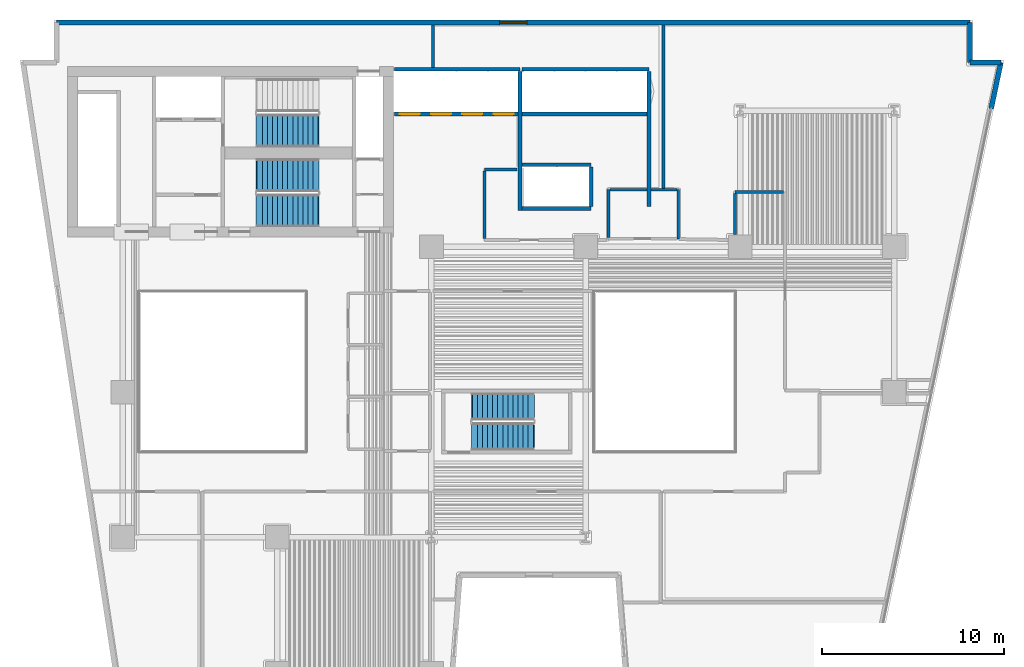
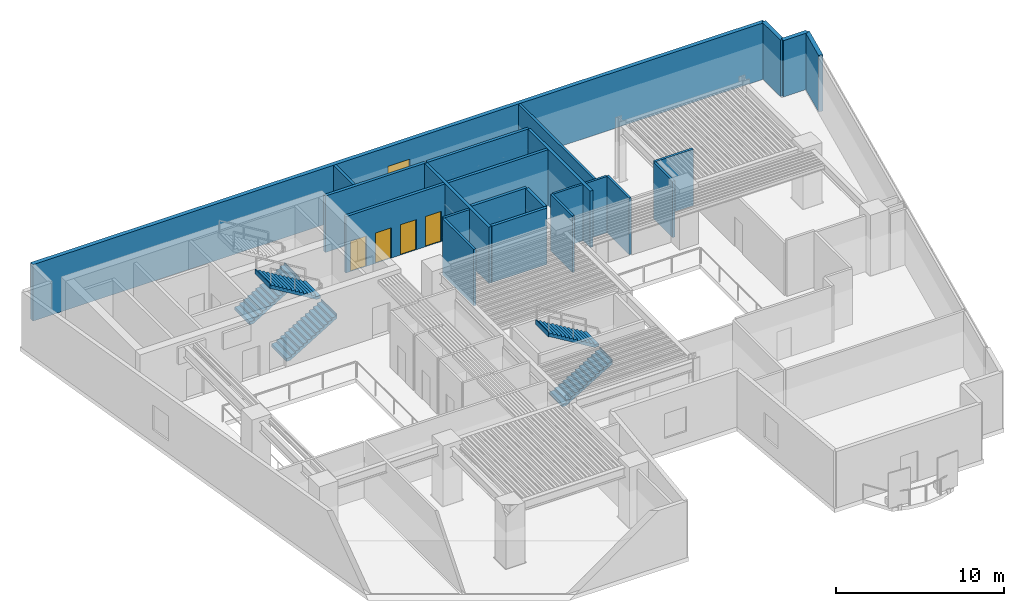
# One storey, part 6 of 11: 23 walls, 5 stair flights, 4 doors, 1 window, 5 openings, 3 elements without a shape of their own.
"""IFC4 building model written with IfcOpenShell, lengths in metres."""

import ifcopenshell
import ifcopenshell.guid

model = None  # the IFC model being written
_history = None  # IfcOwnerHistory: only IFC2X3 demands one
_inside = {}  # id of a spatial element -> (the spatial element, [elements in it])
_under = {}  # id of a project, library or spatial element -> (it, [spatial elements below it])
_declared = {}  # id of a project -> (the project, [libraries it declares])
_typed = {}  # id of a type object -> (the type object, [elements of that type])
_made_of = {}  # id of a material, layer set ... -> (it, [elements and type objects made of it])


def new_model(schema):
    """Start an empty IFC model of exactly this schema.

    Asked for "IFC4X3", IfcOpenShell would pick the latest addendum, in which some entities
    have other attributes; the version numbers below select the first issue.
    IFC2X3 requires an IfcOwnerHistory on every rooted entity: one is made here for all.
    """
    global model, _history
    if schema == "IFC4X3":
        model = ifcopenshell.file(schema_version=(4, 3, 0, 0))
    else:
        model = ifcopenshell.file(schema=schema)
    _inside.clear()
    _under.clear()
    _declared.clear()
    _typed.clear()
    _made_of.clear()
    _history = None
    if model.schema == "IFC2X3":
        org = make("IfcOrganization", Name="unknown")
        user = make(
            "IfcPersonAndOrganization",
            ThePerson=make("IfcPerson", FamilyName="unknown"),
            TheOrganization=org,
        )
        app = make(
            "IfcApplication",
            ApplicationDeveloper=org,
            Version="unknown",
            ApplicationFullName="unknown",
            ApplicationIdentifier="unknown",
        )
        _history = make(
            "IfcOwnerHistory",
            OwningUser=user,
            OwningApplication=app,
            ChangeAction="ADDED",
            CreationDate=0,
        )
    return model


def make(cls, **values):
    """One entity of the class cls with the attributes given. An attribute that is None is left unset."""
    return model.create_entity(
        cls, **{name: value for name, value in values.items() if value is not None}
    )


def rooted(cls, **values):
    """An entity with a GlobalId (a new one), such as an element, a storey or a relation."""
    return make(cls, GlobalId=ifcopenshell.guid.new(), OwnerHistory=_history, **values)


def si_unit(unit_type, name, prefix=None):
    """IfcSIUnit, for example si_unit("LENGTHUNIT", "METRE", prefix="MILLI")."""
    return make("IfcSIUnit", UnitType=unit_type, Prefix=prefix, Name=name)


def assignment(units):
    """IfcUnitAssignment: the units of a project."""
    return None if units is None else make("IfcUnitAssignment", Units=units)


def point(xyz):
    """IfcCartesianPoint."""
    return None if xyz is None else make("IfcCartesianPoint", Coordinates=xyz)


def direction(xyz):
    """IfcDirection."""
    return None if xyz is None else make("IfcDirection", DirectionRatios=xyz)


def frame(location, z_axis=None, x_axis=None):
    """IfcAxis2Placement3D, a coordinate frame: its origin and axes. An axis left out is left unset."""
    return make(
        "IfcAxis2Placement3D",
        Location=point(location),
        Axis=direction(z_axis),
        RefDirection=direction(x_axis),
    )


def frame_2d(location, x_axis=None):
    """IfcAxis2Placement2D, a coordinate frame in the plane: its origin and x axis."""
    return make(
        "IfcAxis2Placement2D", Location=point(location), RefDirection=direction(x_axis)
    )


def origin():
    """The frame at (0, 0, 0) with its axes left unset."""
    return frame((0.0, 0.0, 0.0))


def place(relative_to, where):
    """IfcLocalPlacement: puts the frame where relative to a parent placement (None: the world)."""
    return make(
        "IfcLocalPlacement", PlacementRelTo=relative_to, RelativePlacement=where
    )


def context(
    kind, dimensions, precision=None, world=None, true_north=None, identifier=None
):
    """IfcGeometricRepresentationContext, for example the 3D "Model" context."""
    return make(
        "IfcGeometricRepresentationContext",
        ContextIdentifier=identifier,
        ContextType=kind,
        CoordinateSpaceDimension=dimensions,
        Precision=precision,
        WorldCoordinateSystem=world,
        TrueNorth=true_north,
    )


def subcontext(parent, identifier, kind, view, scale=None):
    """IfcGeometricRepresentationSubContext, for example "Body" below "Model"."""
    return make(
        "IfcGeometricRepresentationSubContext",
        ContextIdentifier=identifier,
        ContextType=kind,
        ParentContext=parent,
        TargetScale=scale,
        TargetView=view,
    )


def project(units=None, contexts=None):
    """IfcProject with its units and contexts."""
    return rooted(
        "IfcProject",
        Name="project",
        RepresentationContexts=contexts,
        UnitsInContext=assignment(units),
    )


def spatial(cls, under=None, at=None, **own):
    """A site, building, storey or space (cls), placed at a placement, below another one or the project."""
    s = rooted(cls, ObjectPlacement=at, **own)
    if under is not None:
        _under.setdefault(under.id(), (under, []))[1].append(s)
    return s


def polyline(points):
    """IfcPolyline through the points."""
    return make("IfcPolyline", Points=[point(p) for p in points])


def profile(cls, at=None, kind="AREA", **sizes):
    """A parametric profile (cls). Its sizes go by their IFC names, for example OverallWidth=200.0."""
    return make(cls, ProfileType=kind, Position=at, **sizes)


def rectangle(**sizes):
    """IfcRectangleProfileDef."""
    return profile("IfcRectangleProfileDef", **sizes)


def outline(outer, holes=None, kind="AREA"):
    """IfcArbitraryClosedProfileDef: a profile drawn as a closed curve; with holes, ...WithVoids."""
    if holes is None:
        return make("IfcArbitraryClosedProfileDef", ProfileType=kind, OuterCurve=outer)
    return make(
        "IfcArbitraryProfileDefWithVoids",
        ProfileType=kind,
        OuterCurve=outer,
        InnerCurves=holes,
    )


def extrude(swept, where, along, depth):
    """IfcExtrudedAreaSolid: the profile swept, set in the frame where, extruded along a direction by depth."""
    return make(
        "IfcExtrudedAreaSolid",
        SweptArea=swept,
        Position=where,
        ExtrudedDirection=direction(along),
        Depth=depth,
    )


def shape(context_of_items, identifier, shape_type, items):
    """IfcShapeRepresentation: the items that make up one representation, for example the "Body"."""
    return make(
        "IfcShapeRepresentation",
        ContextOfItems=context_of_items,
        RepresentationIdentifier=identifier,
        RepresentationType=shape_type,
        Items=items,
    )


def material(Name=None, Category=None):
    """IfcMaterial."""
    return make("IfcMaterial", Name=Name, Category=Category)


def layer(
    of_material, thickness, ventilated=None, Name=None, Category=None, Priority=None
):
    """IfcMaterialLayer: one layer of a wall or slab, of a material (None: an air gap)."""
    return make(
        "IfcMaterialLayer",
        Material=of_material,
        LayerThickness=thickness,
        IsVentilated=ventilated,
        Name=Name,
        Category=Category,
        Priority=Priority,
    )


def layer_set(layers, Name=None):
    """IfcMaterialLayerSet."""
    return make("IfcMaterialLayerSet", MaterialLayers=layers, LayerSetName=Name)


def made_of(thing, what):
    """Note that an element or type object is made of a material, layer set ...; save() writes the relation."""
    if what is not None:
        _made_of.setdefault(what.id(), (what, []))[1].append(thing)
    return thing


def type_object(cls, material=None, **own):
    """A type object (cls), such as IfcWallType, which elements share."""
    return made_of(rooted(cls, **own), material)


def element(
    cls,
    number,
    at=None,
    inside=None,
    cuts=None,
    type_object=None,
    material=None,
    context=None,
    identifier="Body",
    shape_type=None,
    held_by="IfcProductDefinitionShape",
    body=None,
    shapes=None,
    **own,
):
    """One element of the class cls, such as IfcWall. Its Tag is "e" and its number.

    at: its placement. inside: the storey or other place that contains it. cuts: it is an
    opening in that element (IfcRelVoidsElement). A single representation is given by context,
    identifier, shape_type and body (its items); several are given by shapes. held_by: the class
    of the entity that holds the representations. save() writes the other relations.
    """
    e = rooted(cls, Tag="e%d" % number, ObjectPlacement=at, **own)
    if body is not None:
        shapes = [shape(context, identifier, shape_type, body)]
    if shapes is not None:
        e.Representation = make(held_by, Representations=shapes)
    if inside is not None:
        _inside.setdefault(inside.id(), (inside, []))[1].append(e)
    if cuts is not None:
        rooted(
            "IfcRelVoidsElement", RelatingBuildingElement=cuts, RelatedOpeningElement=e
        )
    if type_object is not None:
        _typed.setdefault(type_object.id(), (type_object, []))[1].append(e)
    return made_of(e, material)


def fill(opening, filler):
    """IfcRelFillsElement: the door or window that sits in an opening."""
    return rooted(
        "IfcRelFillsElement",
        RelatingOpeningElement=opening,
        RelatedBuildingElement=filler,
    )


def aggregate(whole, parts):
    """IfcRelAggregates: a whole, such as a stair, and the parts it consists of."""
    return rooted("IfcRelAggregates", RelatingObject=whole, RelatedObjects=parts)


def save(model, path):
    """Write the relations noted so far, then the file.

    IfcRelAggregates (storeys below a building ...), IfcRelContainedInSpatialStructure (elements
    in a storey), IfcRelDefinesByType, IfcRelAssociatesMaterial and IfcRelDeclares: one each for
    every whole, place, type object, material and project.
    """
    for whole, parts in _under.values():
        aggregate(whole, parts)
    for where, things in _inside.values():
        rooted(
            "IfcRelContainedInSpatialStructure",
            RelatedElements=things,
            RelatingStructure=where,
        )
    for kind, things in _typed.values():
        rooted("IfcRelDefinesByType", RelatedObjects=things, RelatingType=kind)
    for what, things in _made_of.values():
        rooted("IfcRelAssociatesMaterial", RelatedObjects=things, RelatingMaterial=what)
    for by, libraries in _declared.values():
        rooted("IfcRelDeclares", RelatingContext=by, RelatedDefinitions=libraries)
    model.write(path)


model = new_model("IFC4")

# Units and contexts
model_context = context("Model", 3, precision=1e-05, world=origin(), true_north=direction((0.0, 1.0)))
body_context = subcontext(model_context, "Body", "Model", "MODEL_VIEW")
ifc_project = project(units=[si_unit("LENGTHUNIT", "METRE"), si_unit("AREAUNIT", "SQUARE_METRE"), si_unit("VOLUMEUNIT", "CUBIC_METRE"), si_unit("PLANEANGLEUNIT", "RADIAN"), si_unit("MASSUNIT", "GRAM", prefix="KILO")], contexts=[model_context])

# Site, building, storey
site_placement = place(None, origin())
site = spatial("IfcSite", under=ifc_project, at=site_placement, CompositionType="ELEMENT")
building_placement = place(site_placement, origin())
building = spatial("IfcBuilding", under=site, at=building_placement, Name="Caeloran Harvest Quay", CompositionType="ELEMENT")
storey_placement = place(building_placement, frame((0.0, 0.0, 49.0)))
storey = spatial("IfcBuildingStorey", under=building, at=storey_placement, Name="L11", CompositionType="ELEMENT", Elevation=49.0)

# Wall, opening, window
ifc_material_1 = material(Name="Precast concrete C50/60", Category="concrete")
ifc_layer_1 = layer(ifc_material_1, 0.280029296875, Name="Precast concrete C50/60")
ifc_layer_set_1 = layer_set([ifc_layer_1], Name="Precast concrete C50/60")
wall_type_1 = type_object("IfcWallType", Name="ENV-WALL-EW-280", PredefinedType="STANDARD", material=ifc_layer_set_1)
wall_1_placement = place(storey_placement, frame((4.840087890625, 43.360107421875, 0.0), z_axis=(0.0, 0.0, 1.0), x_axis=(1.0, 0.0, 0.0)))
wall_1 = element("IfcWall", 1, at=wall_1_placement, inside=storey, type_object=wall_type_1, Name="L11 Exterior Precast Concrete Facade Wall 6", PredefinedType="STANDARD", context=body_context, shape_type="SweptSolid", body=[
    extrude(rectangle(XDim=50.31982421875, YDim=0.280029296875, at=frame_2d((25.159912109375, 0.0))), origin(), (0.0, 0.0, 1.0), 4.10009765625),
])
opening_1_placement = place(wall_1_placement, frame((24.409912109375, 0.0, 0.89990234375)))
opening_1 = element("IfcOpeningElement", 2, at=opening_1_placement, cuts=wall_1, Name="Opening W-03", PredefinedType="OPENING", context=body_context, shape_type="SweptSolid", body=[
    extrude(rectangle(XDim=1.5, YDim=1.800048828125, at=frame_2d((0.75, 0.89990234375))), frame((0.0, 0.14990234375, 0.0), z_axis=(0.0, -1.0, 0.0), x_axis=(1.0, 0.0, 0.0)), (0.0, 0.0, 1.0), 0.300048828125),
])
ifc_material_2 = material(Name="Aluminium-Framed Low-E Laminated Glass", Category="aluminium")
window_type = type_object("IfcWindowType", Name="WIN-W-03", PartitioningType="SINGLE_PANEL", PredefinedType="WINDOW", material=ifc_material_2)
window_placement = place(opening_1_placement, origin())
window = element("IfcWindow", 3, at=window_placement, inside=storey, type_object=window_type, Name="L11 Facade Punched Window W-03", OverallHeight=1.800048828125, OverallWidth=1.5, PartitioningType="SINGLE_PANEL", PredefinedType="WINDOW", context=body_context, shape_type="SweptSolid", body=[
    extrude(rectangle(XDim=1.5, YDim=1.800048828125, at=frame_2d((0.75, 0.89990234375))), frame((0.0, 0.030029296875, 0.0), z_axis=(0.0, -1.0, 0.0), x_axis=(1.0, 0.0, 0.0)), (0.0, 0.0, 1.0), 0.06005859375),
])
fill(opening_1, window)

# Walls
wall_2_placement = place(storey_placement, frame((55.159912109375, 43.360107421875, 0.0), z_axis=(0.0, 0.0, 1.0), x_axis=(0.0, -1.0, 0.0)))
element("IfcWall", 4, at=wall_2_placement, inside=storey, type_object=wall_type_1, Name="L11 Exterior Precast Concrete Facade Wall 7", PredefinedType="STANDARD", context=body_context, shape_type="SweptSolid", body=[
    extrude(rectangle(XDim=2.2001953125, YDim=0.280029296875, at=frame_2d((1.10009765625, 0.0))), origin(), (0.0, 0.0, 1.0), 4.10009765625),
])
wall_3_placement = place(storey_placement, frame((55.159912109375, 41.159912109375, 0.0), z_axis=(0.0, 0.0, 1.0), x_axis=(1.0, 0.0, 0.0)))
element("IfcWall", 5, at=wall_3_placement, inside=storey, type_object=wall_type_1, Name="L11 Exterior Precast Concrete Facade Wall 8", PredefinedType="STANDARD", context=body_context, shape_type="SweptSolid", body=[
    extrude(rectangle(XDim=1.705322265625, YDim=0.280029296875, at=frame_2d((0.8525390625, 0.0))), origin(), (0.0, 0.0, 1.0), 4.10009765625),
])
wall_4_placement = place(storey_placement, frame((56.865234375, 41.159912109375, 0.0), z_axis=(0.0, 0.0, 1.0), x_axis=(-0.205551409765, -0.978646319128, 0.0)))
element("IfcWall", 6, at=wall_4_placement, inside=storey, type_object=wall_type_1, Name="L11 Exterior Facade Corner Pier Wall 9A", PredefinedType="STANDARD", context=body_context, shape_type="SweptSolid", body=[
    extrude(rectangle(XDim=2.599853515625, YDim=0.280029296875, at=frame_2d((1.2998046875, 0.0))), origin(), (0.0, 0.0, 1.0), 4.10009765625),
])
ifc_material_3 = material(Name="Autoclaved Aerated Concrete Blockwork and Plasterboard", Category="masonry")
ifc_layer_2 = layer(ifc_material_3, 0.14990234375, Name="Autoclaved Aerated Concrete Blockwork and Plasterboard")
ifc_layer_set_2 = layer_set([ifc_layer_2], Name="Autoclaved Aerated Concrete Blockwork and Plasterboard")
wall_type_2 = type_object("IfcWallType", Name="INT-WALL-PW-150", PredefinedType="PARTITIONING", material=ifc_layer_set_2)
wall_5_placement = place(storey_placement, frame((39.10009765625, 34.14990234375, 0.0), z_axis=(0.0, 0.0, 1.0), x_axis=(0.0, -1.0, 0.0)))
element("IfcWall", 7, at=wall_5_placement, inside=storey, type_object=wall_type_2, Name="L11 Core Auxiliary Equipment Room Partition Wall", PredefinedType="PARTITIONING", context=body_context, shape_type="SweptSolid", body=[
    extrude(rectangle(XDim=2.699951171875, YDim=0.14990234375, at=frame_2d((1.35009765625, 0.0))), origin(), (0.0, 0.0, 1.0), 4.10009765625),
])
wall_6_placement = place(storey_placement, frame((35.25, 31.530029296875, 0.0), z_axis=(0.0, 0.0, 1.0), x_axis=(0.0, 1.0, 0.0)))
element("IfcWall", 8, at=wall_6_placement, inside=storey, type_object=wall_type_2, Name="L11 Core Auxiliary Equipment Room Partition Wall", PredefinedType="PARTITIONING", context=body_context, shape_type="SweptSolid", body=[
    extrude(rectangle(XDim=2.619873046875, YDim=0.14990234375, at=frame_2d((1.31005859375, 0.0))), origin(), (0.0, 0.0, 1.0), 4.10009765625),
])
wall_7_placement = place(storey_placement, frame((37.5849609375, 34.14990234375, 0.0), z_axis=(0.0, 0.0, 1.0), x_axis=(1.0, 0.0, 0.0)))
element("IfcWall", 9, at=wall_7_placement, inside=storey, type_object=wall_type_2, Name="L11 Core Auxiliary Equipment Room Partition Wall", PredefinedType="PARTITIONING", context=body_context, shape_type="SweptSolid", body=[
    extrude(rectangle(XDim=1.43505859375, YDim=0.14990234375, at=frame_2d((0.717529296875, 0.0))), origin(), (0.0, 0.0, 1.0), 4.10009765625),
])
wall_8_placement = place(storey_placement, frame((35.330078125, 34.14990234375, 0.0), z_axis=(0.0, 0.0, 1.0), x_axis=(1.0, 0.0, 0.0)))
element("IfcWall", 10, at=wall_8_placement, inside=storey, type_object=wall_type_2, Name="L11 Core Auxiliary Equipment Room Partition Wall", PredefinedType="PARTITIONING", context=body_context, shape_type="SweptSolid", body=[
    extrude(rectangle(XDim=2.044921875, YDim=0.14990234375, at=frame_2d((1.0224609375, 0.0))), origin(), (0.0, 0.0, 1.0), 4.10009765625),
])
ifc_material_4 = material(Name="Autoclaved Aerated Concrete Blockwork", Category="masonry")
ifc_layer_3 = layer(ifc_material_4, 0.1650390625, Name="Autoclaved Aerated Concrete Blockwork")
ifc_layer_set_3 = layer_set([ifc_layer_3], Name="Autoclaved Aerated Concrete Blockwork")
wall_type_3 = type_object("IfcWallType", Name="INT-WALL-PW-165", PredefinedType="PARTITIONING", material=ifc_layer_set_3)
wall_9_placement = place(storey_placement, frame((38.280029296875, 34.22998046875, 0.0), z_axis=(0.0, 0.0, 1.0), x_axis=(0.0, 1.0, 0.0)))
element("IfcWall", 11, at=wall_9_placement, inside=storey, type_object=wall_type_3, Name="Agronomy Break Kitchen Partition Wall", PredefinedType="PARTITIONING", context=body_context, shape_type="SweptSolid", body=[
    extrude(rectangle(XDim=8.985107421875, YDim=0.1650390625, at=frame_2d((4.49267578125, 0.0))), origin(), (0.0, 0.0, 1.0), 4.10009765625),
])
wall_10_placement = place(storey_placement, frame((44.892578125, 34.030029296875, 0.0), z_axis=(0.0, 0.0, 1.0), x_axis=(-1.0, 0.0, 0.0)))
element("IfcWall", 12, at=wall_10_placement, inside=storey, type_object=wall_type_3, Name="Agronomy Break Kitchen Partition Wall", PredefinedType="PARTITIONING", context=body_context, shape_type="SweptSolid", body=[
    extrude(rectangle(XDim=2.672607421875, YDim=0.1650390625, at=frame_2d((1.33642578125, 0.0))), origin(), (0.0, 0.0, 1.0), 4.10009765625),
])
wall_11_placement = place(storey_placement, frame((42.219970703125, 33.9423828125, 0.0), z_axis=(0.0, 0.0, 1.0), x_axis=(0.0, -1.0, 0.0)))
element("IfcWall", 13, at=wall_11_placement, inside=storey, type_object=wall_type_3, Name="Agronomy Break Kitchen Partition Wall", PredefinedType="PARTITIONING", context=body_context, shape_type="SweptSolid", body=[
    extrude(rectangle(XDim=2.267333984375, YDim=0.1650390625, at=frame_2d((1.1337890625, 0.0))), origin(), (0.0, 0.0, 1.0), 4.10009765625),
])
wall_12_placement = place(storey_placement, frame((28.429931640625, 35.27001953125, 0.0), z_axis=(0.0, 0.0, 1.0), x_axis=(1.0, 0.0, 0.0)))
element("IfcWall", 14, at=wall_12_placement, inside=storey, type_object=wall_type_3, Name="Saffron and Herb Vertical Growing Room 9 Partition Wall", PredefinedType="PARTITIONING", context=body_context, shape_type="SweptSolid", body=[
    extrude(rectangle(XDim=1.7900390625, YDim=0.1650390625, at=frame_2d((0.89501953125, 0.0))), origin(), (0.0, 0.0, 1.0), 4.10009765625),
])
wall_13_placement = place(storey_placement, frame((25.580078125, 40.885009765625, 0.0), z_axis=(0.0, 0.0, 1.0), x_axis=(0.0, 1.0, 0.0)))
element("IfcWall", 15, at=wall_13_placement, inside=storey, type_object=wall_type_3, Name="Saffron and Herb Vertical Growing Room 9 Partition Wall", PredefinedType="PARTITIONING", context=body_context, shape_type="SweptSolid", body=[
    extrude(rectangle(XDim=2.330078125, YDim=0.1650390625, at=frame_2d((1.1650390625, 0.0))), origin(), (0.0, 0.0, 1.0), 4.10009765625),
])
wall_14_placement = place(storey_placement, frame((28.429931640625, 31.467529296875, 0.0), z_axis=(0.0, 0.0, 1.0), x_axis=(0.0, 1.0, 0.0)))
element("IfcWall", 16, at=wall_14_placement, inside=storey, type_object=wall_type_3, Name="Saffron and Herb Vertical Growing Room 9 Partition Wall", PredefinedType="PARTITIONING", context=body_context, shape_type="SweptSolid", body=[
    extrude(rectangle(XDim=3.715087890625, YDim=0.1650390625, at=frame_2d((1.857421875, 0.0))), origin(), (0.0, 0.0, 1.0), 4.10009765625),
])
ifc_material_5 = material(Name="Concrete C50/60", Category="concrete")
ifc_layer_4 = layer(ifc_material_5, 0.199951171875, Name="Concrete C50/60")
ifc_layer_set_4 = layer_set([ifc_layer_4], Name="Concrete C50/60")
wall_type_4 = type_object("IfcWallType", Name="INT-WALL-SW-200", PredefinedType="PARTITIONING", material=ifc_layer_set_4)
wall_15_placement = place(storey_placement, frame((23.469970703125, 40.780029296875, 0.0), z_axis=(0.0, 0.0, 1.0), x_axis=(1.0, 0.0, 0.0)))
element("IfcWall", 17, at=wall_15_placement, inside=storey, type_object=wall_type_4, Name="L11 Bank 1 Lift Shaft North Wall", PredefinedType="PARTITIONING", context=body_context, shape_type="SweptSolid", body=[
    extrude(rectangle(XDim=6.909912109375, YDim=0.199951171875, at=frame_2d((3.455078125, 0.0))), origin(), (0.0, 0.0, 1.0), 4.10009765625),
])
wall_16_placement = place(storey_placement, frame((30.3798828125, 33.02001953125, 0.0), z_axis=(0.0, 0.0, 1.0), x_axis=(0.0, 1.0, 0.0)))
element("IfcWall", 18, at=wall_16_placement, inside=storey, type_object=wall_type_4, Name="L11 Bank 1 Lift Shaft East Wall", PredefinedType="PARTITIONING", context=body_context, shape_type="SweptSolid", body=[
    extrude(rectangle(XDim=7.639892578125, YDim=0.199951171875, at=frame_2d((3.81982421875, 0.0))), origin(), (0.0, 0.0, 1.0), 4.10009765625),
])

# Wall, openings, doors
wall_17_placement = place(storey_placement, frame((23.469970703125, 38.320068359375, 0.0), z_axis=(0.0, 0.0, 1.0), x_axis=(1.0, 0.0, 0.0)))
wall_17 = element("IfcWall", 19, at=wall_17_placement, inside=storey, type_object=wall_type_4, Name="L11 Bank 1 Lift Landing Front Wall", PredefinedType="PARTITIONING", context=body_context, shape_type="SweptSolid", body=[
    extrude(rectangle(XDim=6.7900390625, YDim=0.199951171875, at=frame_2d((3.39501953125, 0.0))), origin(), (0.0, 0.0, 1.0), 4.10009765625),
])
opening_2_placement = place(wall_17_placement, frame((0.2900390625, 0.0, 0.0)))
opening_2 = element("IfcOpeningElement", 20, at=opening_2_placement, cuts=wall_17, Name="Opening LD-01", PredefinedType="OPENING", context=body_context, shape_type="SweptSolid", body=[
    extrude(rectangle(XDim=1.10009765625, YDim=2.199951171875, at=frame_2d((0.550048828125, 1.10009765625))), frame((0.0, 0.10986328125, 0.0), z_axis=(0.0, -1.0, 0.0), x_axis=(1.0, 0.0, 0.0)), (0.0, 0.0, 1.0), 0.219970703125),
])
opening_3_placement = place(wall_17_placement, frame((2.010009765625, 0.0, 0.0)))
opening_3 = element("IfcOpeningElement", 21, at=opening_3_placement, cuts=wall_17, Name="Opening LD-01", PredefinedType="OPENING", context=body_context, shape_type="SweptSolid", body=[
    extrude(rectangle(XDim=1.10009765625, YDim=2.199951171875, at=frame_2d((0.550048828125, 1.10009765625))), frame((0.0, 0.10986328125, 0.0), z_axis=(0.0, -1.0, 0.0), x_axis=(1.0, 0.0, 0.0)), (0.0, 0.0, 1.0), 0.219970703125),
])
opening_4_placement = place(wall_17_placement, frame((3.72998046875, 0.0, 0.0)))
opening_4 = element("IfcOpeningElement", 22, at=opening_4_placement, cuts=wall_17, Name="Opening LD-01", PredefinedType="OPENING", context=body_context, shape_type="SweptSolid", body=[
    extrude(rectangle(XDim=1.10009765625, YDim=2.199951171875, at=frame_2d((0.550048828125, 1.10009765625))), frame((0.0, 0.10986328125, 0.0), z_axis=(0.0, -1.0, 0.0), x_axis=(1.0, 0.0, 0.0)), (0.0, 0.0, 1.0), 0.219970703125),
])
opening_5_placement = place(wall_17_placement, frame((5.449951171875, 0.0, 0.0)))
opening_5 = element("IfcOpeningElement", 23, at=opening_5_placement, cuts=wall_17, Name="Opening LD-01", PredefinedType="OPENING", context=body_context, shape_type="SweptSolid", body=[
    extrude(rectangle(XDim=1.10009765625, YDim=2.199951171875, at=frame_2d((0.550048828125, 1.10009765625))), frame((0.0, 0.10986328125, 0.0), z_axis=(0.0, -1.0, 0.0), x_axis=(1.0, 0.0, 0.0)), (0.0, 0.0, 1.0), 0.219970703125),
])
ifc_material_6 = material(Name="Stainless Steel Grade 316", Category="steel")
door_type = type_object("IfcDoorType", Name="INTDOOR-LD-01", OperationType="NOTDEFINED", PredefinedType="DOOR", material=ifc_material_6)
door_1_placement = place(opening_2_placement, origin())
door_1 = element("IfcDoor", 24, at=door_1_placement, inside=storey, type_object=door_type, Name="Lift P1-1 Sliding Landing Door (L11)", OperationType="DOUBLE_DOOR_SLIDING", OverallHeight=2.199951171875, OverallWidth=1.10009765625, PredefinedType="DOOR", context=body_context, shape_type="SweptSolid", body=[
    extrude(rectangle(XDim=1.10009765625, YDim=2.199951171875, at=frame_2d((0.550048828125, 1.10009765625))), frame((0.0, 0.02490234375, 0.0), z_axis=(0.0, -1.0, 0.0), x_axis=(1.0, 0.0, 0.0)), (0.0, 0.0, 1.0), 0.050048828125),
])
fill(opening_2, door_1)
door_2_placement = place(opening_3_placement, origin())
door_2 = element("IfcDoor", 25, at=door_2_placement, inside=storey, type_object=door_type, Name="Lift P1-2 Sliding Landing Door (L11)", OperationType="DOUBLE_DOOR_SLIDING", OverallHeight=2.199951171875, OverallWidth=1.10009765625, PredefinedType="DOOR", context=body_context, shape_type="SweptSolid", body=[
    extrude(rectangle(XDim=1.10009765625, YDim=2.199951171875, at=frame_2d((0.550048828125, 1.10009765625))), frame((0.0, 0.02490234375, 0.0), z_axis=(0.0, -1.0, 0.0), x_axis=(1.0, 0.0, 0.0)), (0.0, 0.0, 1.0), 0.050048828125),
])
fill(opening_3, door_2)
door_3_placement = place(opening_4_placement, origin())
door_3 = element("IfcDoor", 26, at=door_3_placement, inside=storey, type_object=door_type, Name="Lift P1-3 Sliding Landing Door (L11)", OperationType="DOUBLE_DOOR_SLIDING", OverallHeight=2.199951171875, OverallWidth=1.10009765625, PredefinedType="DOOR", context=body_context, shape_type="SweptSolid", body=[
    extrude(rectangle(XDim=1.10009765625, YDim=2.199951171875, at=frame_2d((0.550048828125, 1.10009765625))), frame((0.0, 0.02490234375, 0.0), z_axis=(0.0, -1.0, 0.0), x_axis=(1.0, 0.0, 0.0)), (0.0, 0.0, 1.0), 0.050048828125),
])
fill(opening_4, door_3)
door_4_placement = place(opening_5_placement, origin())
door_4 = element("IfcDoor", 27, at=door_4_placement, inside=storey, type_object=door_type, Name="Lift P1-4 Sliding Landing Door (L11)", OperationType="DOUBLE_DOOR_SLIDING", OverallHeight=2.199951171875, OverallWidth=1.10009765625, PredefinedType="DOOR", context=body_context, shape_type="SweptSolid", body=[
    extrude(rectangle(XDim=1.10009765625, YDim=2.199951171875, at=frame_2d((0.550048828125, 1.10009765625))), frame((0.0, 0.02490234375, 0.0), z_axis=(0.0, -1.0, 0.0), x_axis=(1.0, 0.0, 0.0)), (0.0, 0.0, 1.0), 0.050048828125),
])
fill(opening_5, door_4)

# Walls
wall_18_placement = place(storey_placement, frame((30.5, 40.780029296875, 0.0), z_axis=(0.0, 0.0, 1.0), x_axis=(1.0, 0.0, 0.0)))
element("IfcWall", 28, at=wall_18_placement, inside=storey, type_object=wall_type_4, Name="L11 Bank 2 Lift Shaft North Wall", PredefinedType="PARTITIONING", context=body_context, shape_type="SweptSolid", body=[
    extrude(rectangle(XDim=6.97998046875, YDim=0.199951171875, at=frame_2d((3.489990234375, 0.0))), origin(), (0.0, 0.0, 1.0), 4.10009765625),
])
wall_19_placement = place(storey_placement, frame((37.47998046875, 33.239990234375, 0.0), z_axis=(0.0, 0.0, 1.0), x_axis=(0.0, 1.0, 0.0)))
element("IfcWall", 29, at=wall_19_placement, inside=storey, type_object=wall_type_4, Name="L11 Bank 2 Lift Shaft East Wall", PredefinedType="PARTITIONING", context=body_context, shape_type="SweptSolid", body=[
    extrude(rectangle(XDim=7.419921875, YDim=0.199951171875, at=frame_2d((3.7099609375, 0.0))), origin(), (0.0, 0.0, 1.0), 4.10009765625),
])
wall_20_placement = place(storey_placement, frame((30.5, 38.320068359375, 0.0), z_axis=(0.0, 0.0, 1.0), x_axis=(1.0, 0.0, 0.0)))
element("IfcWall", 30, at=wall_20_placement, inside=storey, type_object=wall_type_4, Name="L11 Bank 2 Lift Landing Front Wall", PredefinedType="PARTITIONING", context=body_context, shape_type="SweptSolid", body=[
    extrude(rectangle(XDim=6.860107421875, YDim=0.199951171875, at=frame_2d((3.43017578125, 0.0))), origin(), (0.0, 0.0, 1.0), 4.10009765625),
])
for number, where, z_axis, x_axis, name in (
    (31, (30.5, 35.530029296875, 0.0), (0.0, 0.0, 1.0), (1.0, 0.0, 0.0), "L11 Shuttle Lift Landing Front Wall"),
    (32, (30.5, 33.1201171875, 0.0), (0.0, 0.0, 1.0), (1.0, 0.0, 0.0), "L11 Shuttle Lift Shaft South Wall"),
):
    element("IfcWall", number, at=place(storey_placement, frame(where, z_axis=z_axis, x_axis=x_axis)), inside=storey, type_object=wall_type_4, Name=name, PredefinedType="PARTITIONING", context=body_context, shape_type="SweptSolid", body=[
        extrude(rectangle(XDim=3.800048828125, YDim=0.199951171875, at=frame_2d((1.89990234375, 0.0))), origin(), (0.0, 0.0, 1.0), 4.10009765625),
    ])
wall_21_placement = place(storey_placement, frame((34.300048828125, 33.239990234375, 0.0), z_axis=(0.0, 0.0, 1.0), x_axis=(0.0, 1.0, 0.0)))
element("IfcWall", 33, at=wall_21_placement, inside=storey, type_object=wall_type_4, Name="L11 Shuttle Lift Shaft East Wall", PredefinedType="PARTITIONING", context=body_context, shape_type="SweptSolid", body=[
    extrude(rectangle(XDim=2.169921875, YDim=0.199951171875, at=frame_2d((1.0849609375, 0.0))), origin(), (0.0, 0.0, 1.0), 4.10009765625),
])

# Stair, stair flight
stair_type_1 = type_object("IfcStairType", Name="STAIR-STC-180", PredefinedType="HALF_TURN_STAIR", material=ifc_material_5)
stair_1_placement = place(storey_placement, origin())
stair_1 = element("IfcStair", 34, at=stair_1_placement, inside=storey, type_object=stair_type_1, Name="L11 Core Pressurized Exit Stair ST-C1", PredefinedType="HALF_TURN_STAIR")
stair_flight_type_1 = type_object("IfcStairFlightType", Name="FLIGHT-STC-180", PredefinedType="STRAIGHT", material=ifc_material_5)
stair_flight_1_placement = place(storey_placement, frame((15.89990234375, 37.39990234375, 0.0), z_axis=(0.0, 0.0, 1.0), x_axis=(1.0, 0.0, 0.0)))
stair_flight_1 = element("IfcStairFlight", 35, at=stair_flight_1_placement, type_object=stair_flight_type_1, Name="ST-C1 flight 1", NumberOfRisers=13, NumberOfTreads=12, PredefinedType="STRAIGHT", RiserHeight=0.169230769, TreadLength=0.28, context=body_context, shape_type="SweptSolid", body=[
    extrude(outline(polyline([(-0.054931640625, -0.044921875), (-0.054931640625, -0.031494140625), (-0.054931640625, -0.018310546875), (-0.054931640625, -0.0048828125), (-0.054931640625, 0.008544921875), (-0.054931640625, 0.02197265625), (-0.054931640625, 0.035400390625), (-0.054931640625, 0.048828125), (-0.054931640625, 0.06201171875), (-0.054931640625, 0.075439453125), (-0.054931640625, 0.0888671875), (-0.054931640625, 0.102294921875), (-0.054931640625, 0.11572265625), (-0.054931640625, 0.129150390625), (-0.054931640625, 0.142333984375), (-0.054931640625, 0.15576171875), (-0.054931640625, 0.169189453125), (0.280029296875, 0.169189453125), (0.280029296875, 0.33837890625), (0.56005859375, 0.33837890625), (0.56005859375, 0.5078125), (0.840087890625, 0.5078125), (0.840087890625, 0.677001953125), (1.1201171875, 0.677001953125), (1.1201171875, 0.84619140625), (1.39990234375, 0.84619140625), (1.39990234375, 1.015380859375), (1.679931640625, 1.015380859375), (1.679931640625, 1.1845703125), (1.9599609375, 1.1845703125), (1.9599609375, 1.353759765625), (2.239990234375, 1.353759765625), (2.239990234375, 1.523193359375), (2.52001953125, 1.523193359375), (2.52001953125, 1.6923828125), (2.800048828125, 1.6923828125), (2.800048828125, 1.861572265625), (3.080078125, 1.861572265625), (3.080078125, 2.03076171875), (3.360107421875, 2.03076171875), (3.360107421875, 2.199951171875), (3.4150390625, 2.199951171875), (3.4150390625, 2.178466796875), (3.4150390625, 2.156982421875), (3.4150390625, 2.135498046875), (3.4150390625, 2.114013671875), (3.4150390625, 2.09228515625), (3.4150390625, 2.07080078125), (3.4150390625, 2.04931640625), (3.4150390625, 2.02783203125), (3.4150390625, 2.00634765625), (3.4150390625, 1.98486328125), (3.4150390625, 1.963134765625), (3.4150390625, 1.941650390625), (3.4150390625, 1.920166015625), (3.4150390625, 1.898681640625), (3.4150390625, 1.877197265625), (3.4150390625, 1.855712890625), (3.360107421875, 1.855712890625), (0.21533203125, -0.044921875), (-0.054931640625, -0.044921875)])), frame((0.0, 0.89990234375, 0.0), z_axis=(0.0, -1.0, 0.0), x_axis=(1.0, 0.0, 0.0)), (0.0, 0.0, 1.0), 1.800048828125),
])
aggregate(stair_1, [stair_flight_1])

# Stair, stair flights
stair_2_placement = place(storey_placement, origin())
stair_2 = element("IfcStair", 36, at=stair_2_placement, inside=storey, type_object=stair_type_1, Name="L11 Core Pressurized Exit Stair ST-C2", PredefinedType="HALF_TURN_STAIR")
stair_flight_2_placement = place(storey_placement, frame((15.89990234375, 33.0, 0.0), z_axis=(0.0, 0.0, 1.0), x_axis=(1.0, 0.0, 0.0)))
stair_flight_2 = element("IfcStairFlight", 37, at=stair_flight_2_placement, type_object=stair_flight_type_1, Name="ST-C2 flight 1", NumberOfRisers=13, NumberOfTreads=12, PredefinedType="STRAIGHT", RiserHeight=0.169230769, TreadLength=0.28, context=body_context, shape_type="SweptSolid", body=[
    extrude(outline(polyline([(-0.054931640625, -0.044921875), (-0.054931640625, -0.031494140625), (-0.054931640625, -0.018310546875), (-0.054931640625, -0.0048828125), (-0.054931640625, 0.008544921875), (-0.054931640625, 0.02197265625), (-0.054931640625, 0.035400390625), (-0.054931640625, 0.048828125), (-0.054931640625, 0.06201171875), (-0.054931640625, 0.075439453125), (-0.054931640625, 0.0888671875), (-0.054931640625, 0.102294921875), (-0.054931640625, 0.11572265625), (-0.054931640625, 0.129150390625), (-0.054931640625, 0.142333984375), (-0.054931640625, 0.15576171875), (-0.054931640625, 0.169189453125), (0.280029296875, 0.169189453125), (0.280029296875, 0.33837890625), (0.56005859375, 0.33837890625), (0.56005859375, 0.5078125), (0.840087890625, 0.5078125), (0.840087890625, 0.677001953125), (1.1201171875, 0.677001953125), (1.1201171875, 0.84619140625), (1.39990234375, 0.84619140625), (1.39990234375, 1.015380859375), (1.679931640625, 1.015380859375), (1.679931640625, 1.1845703125), (1.9599609375, 1.1845703125), (1.9599609375, 1.353759765625), (2.239990234375, 1.353759765625), (2.239990234375, 1.523193359375), (2.52001953125, 1.523193359375), (2.52001953125, 1.6923828125), (2.800048828125, 1.6923828125), (2.800048828125, 1.861572265625), (3.080078125, 1.861572265625), (3.080078125, 2.03076171875), (3.360107421875, 2.03076171875), (3.360107421875, 2.199951171875), (3.4150390625, 2.199951171875), (3.4150390625, 2.178466796875), (3.4150390625, 2.156982421875), (3.4150390625, 2.135498046875), (3.4150390625, 2.114013671875), (3.4150390625, 2.09228515625), (3.4150390625, 2.07080078125), (3.4150390625, 2.04931640625), (3.4150390625, 2.02783203125), (3.4150390625, 2.00634765625), (3.4150390625, 1.98486328125), (3.4150390625, 1.963134765625), (3.4150390625, 1.941650390625), (3.4150390625, 1.920166015625), (3.4150390625, 1.898681640625), (3.4150390625, 1.877197265625), (3.4150390625, 1.855712890625), (3.360107421875, 1.855712890625), (0.21533203125, -0.044921875), (-0.054931640625, -0.044921875)])), frame((0.0, 0.89990234375, 0.0), z_axis=(0.0, -1.0, 0.0), x_axis=(1.0, 0.0, 0.0)), (0.0, 0.0, 1.0), 1.800048828125),
])
stair_flight_3_placement = place(storey_placement, frame((19.260009765625, 34.949951171875, 2.199951171875), z_axis=(0.0, 0.0, 1.0), x_axis=(-1.0, 0.0, 0.0)))
stair_flight_3 = element("IfcStairFlight", 38, at=stair_flight_3_placement, type_object=stair_flight_type_1, Name="ST-C2 flight 2", NumberOfRisers=13, NumberOfTreads=12, PredefinedType="STRAIGHT", RiserHeight=0.169230769, TreadLength=0.28, context=body_context, shape_type="SweptSolid", body=[
    extrude(outline(polyline([(-0.054931640625, -0.044921875), (-0.054931640625, -0.031494140625), (-0.054931640625, -0.018310546875), (-0.054931640625, -0.0048828125), (-0.054931640625, 0.008544921875), (-0.054931640625, 0.02197265625), (-0.054931640625, 0.035400390625), (-0.054931640625, 0.048828125), (-0.054931640625, 0.06201171875), (-0.054931640625, 0.075439453125), (-0.054931640625, 0.0888671875), (-0.054931640625, 0.102294921875), (-0.054931640625, 0.11572265625), (-0.054931640625, 0.129150390625), (-0.054931640625, 0.142333984375), (-0.054931640625, 0.15576171875), (-0.054931640625, 0.169189453125), (0.280029296875, 0.169189453125), (0.280029296875, 0.33837890625), (0.56005859375, 0.33837890625), (0.56005859375, 0.5078125), (0.840087890625, 0.5078125), (0.840087890625, 0.677001953125), (1.1201171875, 0.677001953125), (1.1201171875, 0.84619140625), (1.39990234375, 0.84619140625), (1.39990234375, 1.015380859375), (1.679931640625, 1.015380859375), (1.679931640625, 1.1845703125), (1.9599609375, 1.1845703125), (1.9599609375, 1.353759765625), (2.239990234375, 1.353759765625), (2.239990234375, 1.523193359375), (2.52001953125, 1.523193359375), (2.52001953125, 1.6923828125), (2.800048828125, 1.6923828125), (2.800048828125, 1.861572265625), (3.080078125, 1.861572265625), (3.080078125, 2.03076171875), (3.360107421875, 2.03076171875), (3.360107421875, 2.199951171875), (3.4150390625, 2.199951171875), (3.4150390625, 2.178466796875), (3.4150390625, 2.156982421875), (3.4150390625, 2.135498046875), (3.4150390625, 2.114013671875), (3.4150390625, 2.09228515625), (3.4150390625, 2.07080078125), (3.4150390625, 2.04931640625), (3.4150390625, 2.02783203125), (3.4150390625, 2.00634765625), (3.4150390625, 1.98486328125), (3.4150390625, 1.963134765625), (3.4150390625, 1.941650390625), (3.4150390625, 1.920166015625), (3.4150390625, 1.898681640625), (3.4150390625, 1.877197265625), (3.4150390625, 1.855712890625), (3.360107421875, 1.855712890625), (0.21533203125, -0.044921875), (-0.054931640625, -0.044921875)])), frame((0.0, 0.89990234375, 0.0), z_axis=(0.0, -1.0, 0.0), x_axis=(1.0, 0.0, 0.0)), (0.0, 0.0, 1.0), 1.800048828125),
])
aggregate(stair_2, [stair_flight_2, stair_flight_3])

stair_type_2 = type_object("IfcStairType", Name="STAIR-STW-150", PredefinedType="HALF_TURN_STAIR", material=ifc_material_5)
stair_3_placement = place(storey_placement, origin())
stair_3 = element("IfcStair", 39, at=stair_3_placement, inside=storey, type_object=stair_type_2, Name="L11 East Wing Protected Exit Stair ST-W1", PredefinedType="HALF_TURN_STAIR")
stair_flight_type_2 = type_object("IfcStairFlightType", Name="FLIGHT-STW-150", PredefinedType="STRAIGHT", material=ifc_material_5)
stair_flight_4_placement = place(storey_placement, frame((27.75, 20.550048828125, 0.0), z_axis=(0.0, 0.0, 1.0), x_axis=(1.0, 0.0, 0.0)))
stair_flight_4 = element("IfcStairFlight", 40, at=stair_flight_4_placement, type_object=stair_flight_type_2, Name="ST-W1 flight 1", NumberOfRisers=13, NumberOfTreads=12, PredefinedType="STRAIGHT", RiserHeight=0.169230769, TreadLength=0.28, context=body_context, shape_type="SweptSolid", body=[
    extrude(outline(polyline([(-0.054931640625, -0.044921875), (-0.054931640625, -0.031494140625), (-0.054931640625, -0.018310546875), (-0.054931640625, -0.0048828125), (-0.054931640625, 0.008544921875), (-0.054931640625, 0.02197265625), (-0.054931640625, 0.035400390625), (-0.054931640625, 0.048828125), (-0.054931640625, 0.06201171875), (-0.054931640625, 0.075439453125), (-0.054931640625, 0.0888671875), (-0.054931640625, 0.102294921875), (-0.054931640625, 0.11572265625), (-0.054931640625, 0.129150390625), (-0.054931640625, 0.142333984375), (-0.054931640625, 0.15576171875), (-0.054931640625, 0.169189453125), (0.280029296875, 0.169189453125), (0.280029296875, 0.33837890625), (0.56005859375, 0.33837890625), (0.56005859375, 0.5078125), (0.840087890625, 0.5078125), (0.840087890625, 0.677001953125), (1.1201171875, 0.677001953125), (1.1201171875, 0.84619140625), (1.39990234375, 0.84619140625), (1.39990234375, 1.015380859375), (1.679931640625, 1.015380859375), (1.679931640625, 1.1845703125), (1.9599609375, 1.1845703125), (1.9599609375, 1.353759765625), (2.239990234375, 1.353759765625), (2.239990234375, 1.523193359375), (2.52001953125, 1.523193359375), (2.52001953125, 1.6923828125), (2.800048828125, 1.6923828125), (2.800048828125, 1.861572265625), (3.080078125, 1.861572265625), (3.080078125, 2.03076171875), (3.360107421875, 2.03076171875), (3.360107421875, 2.199951171875), (3.4150390625, 2.199951171875), (3.4150390625, 2.178466796875), (3.4150390625, 2.156982421875), (3.4150390625, 2.135498046875), (3.4150390625, 2.114013671875), (3.4150390625, 2.09228515625), (3.4150390625, 2.07080078125), (3.4150390625, 2.04931640625), (3.4150390625, 2.02783203125), (3.4150390625, 2.00634765625), (3.4150390625, 1.98486328125), (3.4150390625, 1.963134765625), (3.4150390625, 1.941650390625), (3.4150390625, 1.920166015625), (3.4150390625, 1.898681640625), (3.4150390625, 1.877197265625), (3.4150390625, 1.855712890625), (3.360107421875, 1.855712890625), (0.21533203125, -0.044921875), (-0.054931640625, -0.044921875)])), frame((0.0, 0.75, 0.0), z_axis=(0.0, -1.0, 0.0), x_axis=(1.0, 0.0, 0.0)), (0.0, 0.0, 1.0), 1.5),
])
stair_flight_5_placement = place(storey_placement, frame((31.110107421875, 22.199951171875, 2.199951171875), z_axis=(0.0, 0.0, 1.0), x_axis=(-1.0, 0.0, 0.0)))
stair_flight_5 = element("IfcStairFlight", 41, at=stair_flight_5_placement, type_object=stair_flight_type_2, Name="ST-W1 flight 2", NumberOfRisers=13, NumberOfTreads=12, PredefinedType="STRAIGHT", RiserHeight=0.169230769, TreadLength=0.28, context=body_context, shape_type="SweptSolid", body=[
    extrude(outline(polyline([(-0.054931640625, -0.044921875), (-0.054931640625, -0.031494140625), (-0.054931640625, -0.018310546875), (-0.054931640625, -0.0048828125), (-0.054931640625, 0.008544921875), (-0.054931640625, 0.02197265625), (-0.054931640625, 0.035400390625), (-0.054931640625, 0.048828125), (-0.054931640625, 0.06201171875), (-0.054931640625, 0.075439453125), (-0.054931640625, 0.0888671875), (-0.054931640625, 0.102294921875), (-0.054931640625, 0.11572265625), (-0.054931640625, 0.129150390625), (-0.054931640625, 0.142333984375), (-0.054931640625, 0.15576171875), (-0.054931640625, 0.169189453125), (0.280029296875, 0.169189453125), (0.280029296875, 0.33837890625), (0.56005859375, 0.33837890625), (0.56005859375, 0.5078125), (0.840087890625, 0.5078125), (0.840087890625, 0.677001953125), (1.1201171875, 0.677001953125), (1.1201171875, 0.84619140625), (1.39990234375, 0.84619140625), (1.39990234375, 1.015380859375), (1.679931640625, 1.015380859375), (1.679931640625, 1.1845703125), (1.9599609375, 1.1845703125), (1.9599609375, 1.353759765625), (2.239990234375, 1.353759765625), (2.239990234375, 1.523193359375), (2.52001953125, 1.523193359375), (2.52001953125, 1.6923828125), (2.800048828125, 1.6923828125), (2.800048828125, 1.861572265625), (3.080078125, 1.861572265625), (3.080078125, 2.03076171875), (3.360107421875, 2.03076171875), (3.360107421875, 2.199951171875), (3.4150390625, 2.199951171875), (3.4150390625, 2.178466796875), (3.4150390625, 2.156982421875), (3.4150390625, 2.135498046875), (3.4150390625, 2.114013671875), (3.4150390625, 2.09228515625), (3.4150390625, 2.07080078125), (3.4150390625, 2.04931640625), (3.4150390625, 2.02783203125), (3.4150390625, 2.00634765625), (3.4150390625, 1.98486328125), (3.4150390625, 1.963134765625), (3.4150390625, 1.941650390625), (3.4150390625, 1.920166015625), (3.4150390625, 1.898681640625), (3.4150390625, 1.877197265625), (3.4150390625, 1.855712890625), (3.360107421875, 1.855712890625), (0.21533203125, -0.044921875), (-0.054931640625, -0.044921875)])), frame((0.0, 0.75, 0.0), z_axis=(0.0, -1.0, 0.0), x_axis=(1.0, 0.0, 0.0)), (0.0, 0.0, 1.0), 1.5),
])
aggregate(stair_3, [stair_flight_4, stair_flight_5])

save(model, "model.ifc")
